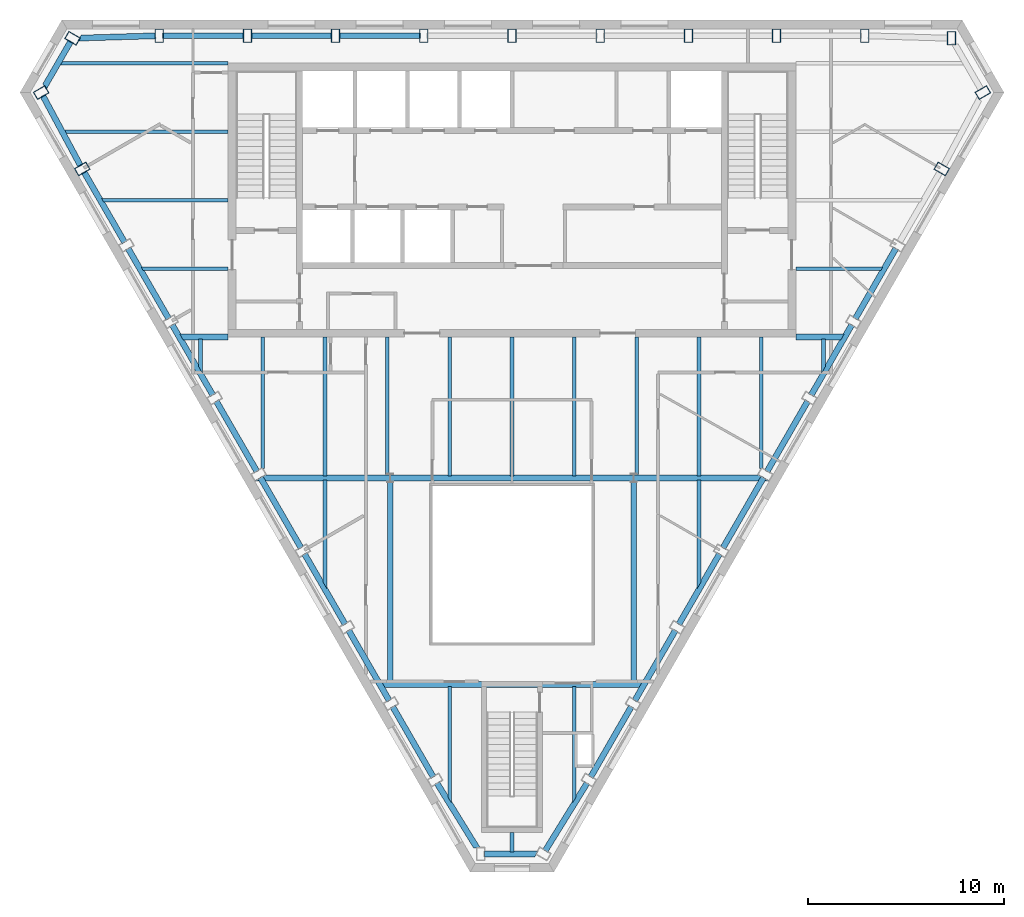
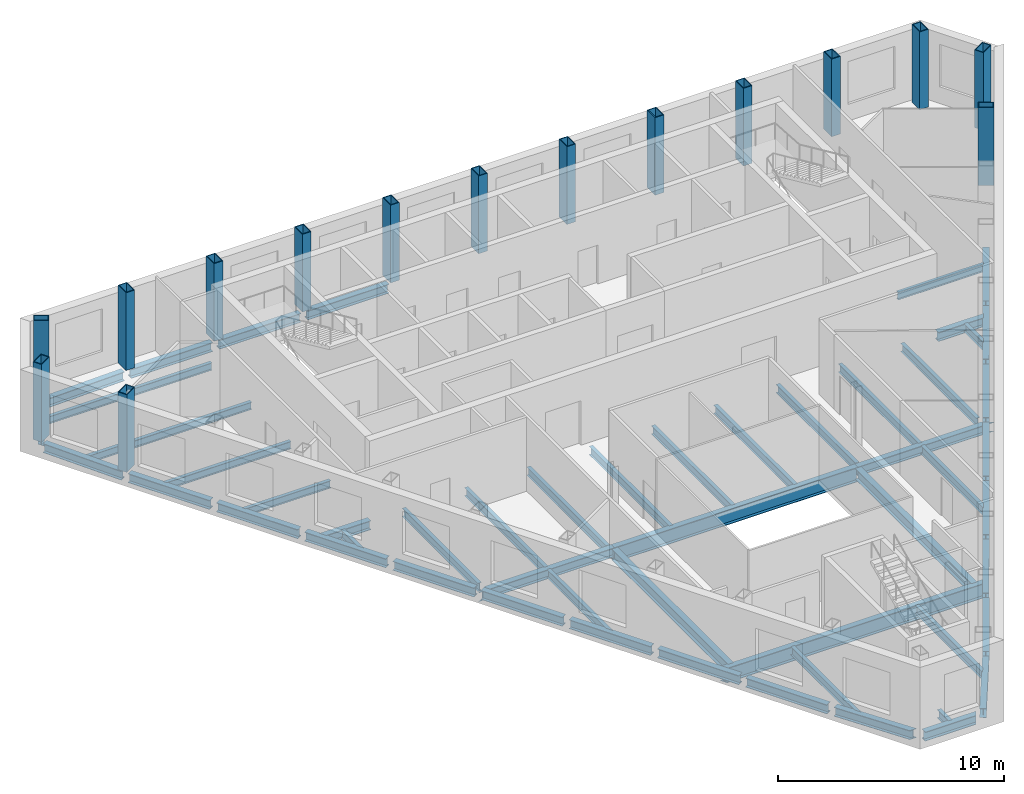
# One storey, part 2 of 9: 53 beams, 15 columns.
"""IFC4 building model written with IfcOpenShell, lengths in metres."""

from ifc_helpers import new_model, si_unit, direction, frame, origin, origin_2d, place, context, subcontext, project, spatial, hollow_rectangle, i_section, extrude, clip, halfspace, material, material_profile, profile_set, type_object, element, save


model = new_model("IFC4")

# Units and contexts
model_context = context("Model", 3, precision=1e-05, world=origin(), true_north=direction((0.0, 1.0)))
body_context = subcontext(model_context, "Body", "Model", "MODEL_VIEW")
ifc_project = project(units=[si_unit("LENGTHUNIT", "METRE"), si_unit("AREAUNIT", "SQUARE_METRE"), si_unit("VOLUMEUNIT", "CUBIC_METRE"), si_unit("PLANEANGLEUNIT", "RADIAN"), si_unit("MASSUNIT", "GRAM", prefix="KILO")], contexts=[model_context])

# Site, building, storey
site_placement = place(None, origin())
site = spatial("IfcSite", under=ifc_project, at=site_placement, CompositionType="ELEMENT")
building_placement = place(site_placement, origin())
building = spatial("IfcBuilding", under=site, at=building_placement, Name="Njiva Tower", CompositionType="ELEMENT")
storey_placement = place(building_placement, frame((0.0, 0.0, 325.2)))
storey = spatial("IfcBuildingStorey", under=building, at=storey_placement, Name="L74", CompositionType="ELEMENT", Elevation=325.2)

# Columns
ifc_material = material(Name="Steel S355 J2", Category="steel")
ifc_material_profile_1 = material_profile(ifc_material, hollow_rectangle(XDim=0.45, YDim=0.7, WallThickness=0.04, at=origin_2d()), Name="BOX 700x450x40")
ifc_profile_set_1 = profile_set([ifc_material_profile_1], Name="Steel S355 J2")
column_type = type_object("IfcColumnType", Name="C15 Perimeter tube column BOX 700x450x40", PredefinedType="COLUMN", material=ifc_profile_set_1)
for number, where, z_axis, x_axis, name in (
    (1, (22.456, 19.267, 0.0), (0.0, 0.0, 1.0), (-1.0, 0.0, 0.0), "Perimeter tube column S25-C01"),
    (2, (18.026, 19.4, 0.0), (0.0, 0.0, 1.0), (-1.0, 0.0, 0.0), "Perimeter tube column S25-C02"),
    (3, (13.52, 19.4, 0.0), (0.0, 0.0, 1.0), (-1.0, 0.0, 0.0), "Perimeter tube column S25-C03"),
    (4, (9.013, 19.4, 0.0), (0.0, 0.0, 1.0), (-1.0, 0.0, 0.0), "Perimeter tube column S25-C04"),
    (5, (4.507, 19.4, 0.0), (0.0, 0.0, 1.0), (-1.0, 0.0, 0.0), "Perimeter tube column S25-C05"),
    (6, (0.0, 19.4, 0.0), (0.0, 0.0, 1.0), (-1.0, 0.0, 0.0), "Perimeter tube column S25-C06"),
    (7, (-4.507, 19.4, 0.0), (0.0, 0.0, 1.0), (-1.0, 0.0, 0.0), "Perimeter tube column S25-C07"),
    (8, (-9.013, 19.4, 0.0), (0.0, 0.0, 1.0), (-1.0, 0.0, 0.0), "Perimeter tube column S25-C08"),
    (9, (-13.52, 19.4, 0.0), (0.0, 0.0, 1.0), (-1.0, 0.0, 0.0), "Perimeter tube column S25-C09"),
    (10, (-18.026, 19.4, 0.0), (0.0, 0.0, 1.0), (-1.0, 0.0, 0.0), "Perimeter tube column S25-C10"),
    (11, (-22.456, 19.267, 0.0), (0.0, 0.0, 1.0), (-0.5, -0.866025403784, 0.0), "Perimeter tube column S25-C11"),
    (12, (-24.058, 16.493, 0.0), (0.0, 0.0, 1.0), (0.5, -0.866025403784, 0.0), "Perimeter tube column S25-C12"),
    (13, (-21.958, 12.591, 0.0), (0.0, 0.0, 1.0), (0.5, -0.866025403784, 0.0), "Perimeter tube column S25-C13"),
    (14, (21.958, 12.591, 0.0), (0.0, 0.0, 1.0), (0.5, 0.866025403784, 0.0), "Perimeter tube column S25-C32"),
    (15, (24.058, 16.493, 0.0), (0.0, 0.0, 1.0), (-0.5, 0.866025403784, 0.0), "Perimeter tube column S25-C33"),
):
    element("IfcColumn", number, at=place(storey_placement, frame(where, z_axis=z_axis, x_axis=x_axis)), inside=storey, type_object=column_type, Name=name, PredefinedType="COLUMN", context=body_context, shape_type="SweptSolid", body=[
        extrude(hollow_rectangle(XDim=0.45, YDim=0.7, WallThickness=0.04, at=origin_2d()), origin(), (0.0, 0.0, 1.0), 4.2),
    ])

# Beams
ifc_material_profile_2 = material_profile(ifc_material, i_section(OverallWidth=0.3, OverallDepth=0.59, WebThickness=0.013, FlangeThickness=0.025, at=origin_2d()), Name="HEA 600")
ifc_profile_set_2 = profile_set([ifc_material_profile_2], Name="Steel S355 J2")
beam_type_1 = type_object("IfcBeamType", Name="B30 Long-span atrium trimmer beam HEA 600", PredefinedType="BEAM", material=ifc_profile_set_2)
for number, where, z_axis, x_axis, name in (
    (16, (6.22, -13.65, -0.495), (0.0, 1.0, 0.0), (-1.0, 0.0, 0.0), "Long-span atrium trimmer beam S25-B061"),
    (17, (-6.22, -3.375, -0.495), (0.0, -1.0, 0.0), (1.0, 0.0, 0.0), "Long-span atrium trimmer beam S25-B058"),
):
    element("IfcBeam", number, at=place(storey_placement, frame(where, z_axis=z_axis, x_axis=x_axis)), inside=storey, type_object=beam_type_1, Name=name, PredefinedType="BEAM", context=body_context, shape_type="SweptSolid", body=[
        extrude(i_section(OverallWidth=0.3, OverallDepth=0.59, WebThickness=0.013, FlangeThickness=0.025, at=origin_2d()), origin(), (0.0, 0.0, 1.0), 10.275),
    ])
ifc_material_profile_3 = material_profile(ifc_material, i_section(OverallWidth=0.3, OverallDepth=0.49, WebThickness=0.012, FlangeThickness=0.023, at=origin_2d()), Name="HEA 500")
ifc_profile_set_3 = profile_set([ifc_material_profile_3], Name="Steel S355 J2")
beam_type_2 = type_object("IfcBeamType", Name="B48 Short-span spandrel beam HEA 500", PredefinedType="SPANDREL", material=ifc_profile_set_3)
beam_1_placement = place(storey_placement, frame((-4.682, 19.4, -0.445), z_axis=(-1.0, 0.0, 0.0), x_axis=(0.0, -1.0, 0.0)))
element("IfcBeam", 18, at=beam_1_placement, inside=storey, type_object=beam_type_2, Name="Short-span spandrel beam S25-B082", PredefinedType="SPANDREL", context=body_context, shape_type="SweptSolid", body=[
    extrude(i_section(OverallWidth=0.3, OverallDepth=0.49, WebThickness=0.012, FlangeThickness=0.023, at=origin_2d()), origin(), (0.0, 0.0, 1.0), 4.156),
])
beam_2_placement = place(storey_placement, frame((-9.188, 19.4, -0.445), z_axis=(-1.0, 0.0, 0.0), x_axis=(0.0, -1.0, 0.0)))
element("IfcBeam", 19, at=beam_2_placement, inside=storey, type_object=beam_type_2, Name="Short-span spandrel beam S25-B077", PredefinedType="SPANDREL", context=body_context, shape_type="SweptSolid", body=[
    extrude(i_section(OverallWidth=0.3, OverallDepth=0.49, WebThickness=0.012, FlangeThickness=0.023, at=origin_2d()), origin(), (0.0, 0.0, 1.0), 4.157),
])
beam_3_placement = place(storey_placement, frame((-13.695, 19.4, -0.445), z_axis=(-1.0, 0.0, 0.0), x_axis=(0.0, -1.0, 0.0)))
element("IfcBeam", 20, at=beam_3_placement, inside=storey, type_object=beam_type_2, Name="Short-span spandrel beam S25-B072", PredefinedType="SPANDREL", context=body_context, shape_type="SweptSolid", body=[
    extrude(i_section(OverallWidth=0.3, OverallDepth=0.49, WebThickness=0.012, FlangeThickness=0.023, at=origin_2d()), origin(), (0.0, 0.0, 1.0), 4.156),
])
beam_4_placement = place(storey_placement, frame((-18.205, 19.395, -0.445), z_axis=(-0.999542354349, -0.030250320034, 0.0), x_axis=(0.030250320034, -0.999542354349, 0.0)))
element("IfcBeam", 21, at=beam_4_placement, inside=storey, type_object=beam_type_2, Name="Short-span spandrel beam S25-B067", PredefinedType="SPANDREL", context=body_context, shape_type="Clipping", body=[
    clip(extrude(i_section(OverallWidth=0.3, OverallDepth=0.49, WebThickness=0.012, FlangeThickness=0.023, at=origin_2d()), origin(), (0.0, 0.0, 1.0), 4.0138), halfspace(frame((-0.0268, 0.0, 3.8841), z_axis=(-0.525966768254, 0.0, 0.850505119734), x_axis=(0.0, 1.0, 0.0)), False)),
])
beam_5_placement = place(storey_placement, frame((-22.544, 19.116, -0.445), z_axis=(-0.499948361456, -0.866055215259, 0.0), x_axis=(0.866055215259, -0.499948361456, 0.0)))
element("IfcBeam", 22, at=beam_5_placement, inside=storey, type_object=beam_type_2, Name="Short-span spandrel beam S25-B066", PredefinedType="SPANDREL", context=body_context, shape_type="Clipping", body=[
    clip(extrude(i_section(OverallWidth=0.3, OverallDepth=0.49, WebThickness=0.012, FlangeThickness=0.023, at=origin_2d()), origin(), (0.0, 0.0, 1.0), 2.7893), halfspace(frame((-0.0246, 0.0, 2.6678), z_axis=(-0.500053626908, 0.0, 0.865994440061), x_axis=(0.0, 1.0, 0.0)), False)),
])
beam_6_placement = place(storey_placement, frame((-23.973, 16.336, -0.445), z_axis=(0.473719218081, -0.880675934962, 0.0), x_axis=(0.880675934962, 0.473719218081, 0.0)))
element("IfcBeam", 23, at=beam_6_placement, inside=storey, type_object=beam_type_2, Name="Short-span spandrel beam S25-B064", PredefinedType="SPANDREL", context=body_context, shape_type="SweptSolid", body=[
    extrude(i_section(OverallWidth=0.3, OverallDepth=0.49, WebThickness=0.012, FlangeThickness=0.023, at=origin_2d()), origin(), (0.0, 0.0, 1.0), 4.0741),
])
beam_7_placement = place(storey_placement, frame((-21.871, 12.439, -0.445), z_axis=(0.500201435056, -0.865909073961, 0.0), x_axis=(0.865909073961, 0.500201435056, 0.0)))
element("IfcBeam", 24, at=beam_7_placement, inside=storey, type_object=beam_type_2, Name="Short-span spandrel beam S25-B068", PredefinedType="SPANDREL", context=body_context, shape_type="SweptSolid", body=[
    extrude(i_section(OverallWidth=0.3, OverallDepth=0.49, WebThickness=0.012, FlangeThickness=0.023, at=origin_2d()), origin(), (0.0, 0.0, 1.0), 4.1563),
])
beam_8_placement = place(storey_placement, frame((-19.617, 8.537, -0.445), z_axis=(0.499812681335, -0.866133525259, 0.0), x_axis=(0.866133525259, 0.499812681335, 0.0)))
element("IfcBeam", 25, at=beam_8_placement, inside=storey, type_object=beam_type_2, Name="Short-span spandrel beam S25-B070", PredefinedType="SPANDREL", context=body_context, shape_type="SweptSolid", body=[
    extrude(i_section(OverallWidth=0.3, OverallDepth=0.49, WebThickness=0.012, FlangeThickness=0.023, at=origin_2d()), origin(), (0.0, 0.0, 1.0), 4.1576),
])
for number, where, z_axis, x_axis, name in (
    (26, (-17.364, 4.633, -0.445), (0.500201435056, -0.865909073961, 0.0), (0.865909073961, 0.500201435056, 0.0), "Short-span spandrel beam S25-B073"),
    (27, (-15.111, 0.73, -0.445), (0.500201435056, -0.865909073961, 0.0), (0.865909073961, 0.500201435056, 0.0), "Short-span spandrel beam S25-B075"),
):
    element("IfcBeam", number, at=place(storey_placement, frame(where, z_axis=z_axis, x_axis=x_axis)), inside=storey, type_object=beam_type_2, Name=name, PredefinedType="SPANDREL", context=body_context, shape_type="SweptSolid", body=[
        extrude(i_section(OverallWidth=0.3, OverallDepth=0.49, WebThickness=0.012, FlangeThickness=0.023, at=origin_2d()), origin(), (0.0, 0.0, 1.0), 4.1563),
    ])
beam_9_placement = place(storey_placement, frame((-12.857, -3.172, -0.445), z_axis=(0.499812681335, -0.866133525259, 0.0), x_axis=(0.866133525259, 0.499812681335, 0.0)))
element("IfcBeam", 28, at=beam_9_placement, inside=storey, type_object=beam_type_2, Name="Short-span spandrel beam S25-B078", PredefinedType="SPANDREL", context=body_context, shape_type="SweptSolid", body=[
    extrude(i_section(OverallWidth=0.3, OverallDepth=0.49, WebThickness=0.012, FlangeThickness=0.023, at=origin_2d()), origin(), (0.0, 0.0, 1.0), 4.1576),
])
beam_10_placement = place(storey_placement, frame((-10.604, -7.076, -0.445), z_axis=(0.500201435056, -0.865909073961, 0.0), x_axis=(0.865909073961, 0.500201435056, 0.0)))
element("IfcBeam", 29, at=beam_10_placement, inside=storey, type_object=beam_type_2, Name="Short-span spandrel beam S25-B080", PredefinedType="SPANDREL", context=body_context, shape_type="SweptSolid", body=[
    extrude(i_section(OverallWidth=0.3, OverallDepth=0.49, WebThickness=0.012, FlangeThickness=0.023, at=origin_2d()), origin(), (0.0, 0.0, 1.0), 4.1563),
])
beam_11_placement = place(storey_placement, frame((-8.35, -10.978, -0.445), z_axis=(0.500021003115, -0.866013277291, 0.0), x_axis=(0.866013277291, 0.500021003115, 0.0)))
element("IfcBeam", 30, at=beam_11_placement, inside=storey, type_object=beam_type_2, Name="Short-span spandrel beam S25-B083", PredefinedType="SPANDREL", context=body_context, shape_type="SweptSolid", body=[
    extrude(i_section(OverallWidth=0.3, OverallDepth=0.49, WebThickness=0.012, FlangeThickness=0.023, at=origin_2d()), origin(), (0.0, 0.0, 1.0), 4.1558),
])
beam_12_placement = place(storey_placement, frame((-6.097, -14.881, -0.445), z_axis=(0.499916824138, -0.866073420066, 0.0), x_axis=(0.866073420066, 0.499916824138, 0.0)))
element("IfcBeam", 31, at=beam_12_placement, inside=storey, type_object=beam_type_2, Name="Short-span spandrel beam S25-B085", PredefinedType="SPANDREL", context=body_context, shape_type="SweptSolid", body=[
    extrude(i_section(OverallWidth=0.3, OverallDepth=0.49, WebThickness=0.012, FlangeThickness=0.023, at=origin_2d()), origin(), (0.0, 0.0, 1.0), 4.1567),
])
beam_13_placement = place(storey_placement, frame((-3.837, -18.784, -0.445), z_axis=(0.525612966053, -0.850723815299, 0.0), x_axis=(0.850723815299, 0.525612966053, 0.0)))
element("IfcBeam", 32, at=beam_13_placement, inside=storey, type_object=beam_type_2, Name="Short-span spandrel beam S25-B088", PredefinedType="SPANDREL", context=body_context, shape_type="Clipping", body=[
    clip(extrude(i_section(OverallWidth=0.3, OverallDepth=0.49, WebThickness=0.012, FlangeThickness=0.023, at=origin_2d()), origin(), (0.0, 0.0, 1.0), 4.0132), halfspace(frame((-0.026, 0.0, 3.8841), z_axis=(-0.525612966053, 0.0, 0.850723815299), x_axis=(0.0, 1.0, 0.0)), False)),
])
beam_14_placement = place(storey_placement, frame((-1.426, -22.402, -0.445), z_axis=(1.0, 0.0, 0.0), x_axis=(0.0, 1.0, 0.0)))
element("IfcBeam", 33, at=beam_14_placement, inside=storey, type_object=beam_type_2, Name="Short-span spandrel beam S25-B091", PredefinedType="SPANDREL", context=body_context, shape_type="Clipping", body=[
    clip(extrude(i_section(OverallWidth=0.3, OverallDepth=0.49, WebThickness=0.012, FlangeThickness=0.023, at=origin_2d()), origin(), (0.0, 0.0, 1.0), 2.788), halfspace(frame((-0.025, 0.0, 2.6662), z_axis=(-0.499998009787, 0.0, 0.866026552831), x_axis=(0.0, 1.0, 0.0)), False)),
])
beam_15_placement = place(storey_placement, frame((1.695, -22.25, -0.445), z_axis=(0.525712321525, 0.850662421291, 0.0), x_axis=(-0.850662421291, 0.525712321525, 0.0)))
element("IfcBeam", 34, at=beam_15_placement, inside=storey, type_object=beam_type_2, Name="Short-span spandrel beam S25-B094", PredefinedType="SPANDREL", context=body_context, shape_type="SweptSolid", body=[
    extrude(i_section(OverallWidth=0.3, OverallDepth=0.49, WebThickness=0.012, FlangeThickness=0.023, at=origin_2d()), origin(), (0.0, 0.0, 1.0), 4.0745),
])
beam_16_placement = place(storey_placement, frame((4.019, -18.481, -0.445), z_axis=(0.499916824138, 0.866073420066, 0.0), x_axis=(-0.866073420066, 0.499916824138, 0.0)))
element("IfcBeam", 35, at=beam_16_placement, inside=storey, type_object=beam_type_2, Name="Short-span spandrel beam S25-B096", PredefinedType="SPANDREL", context=body_context, shape_type="SweptSolid", body=[
    extrude(i_section(OverallWidth=0.3, OverallDepth=0.49, WebThickness=0.012, FlangeThickness=0.023, at=origin_2d()), origin(), (0.0, 0.0, 1.0), 4.1567),
])
beam_17_placement = place(storey_placement, frame((6.272, -14.577, -0.445), z_axis=(0.500021003115, 0.866013277291, 0.0), x_axis=(-0.866013277291, 0.500021003115, 0.0)))
element("IfcBeam", 36, at=beam_17_placement, inside=storey, type_object=beam_type_2, Name="Short-span spandrel beam S25-B099", PredefinedType="SPANDREL", context=body_context, shape_type="SweptSolid", body=[
    extrude(i_section(OverallWidth=0.3, OverallDepth=0.49, WebThickness=0.012, FlangeThickness=0.023, at=origin_2d()), origin(), (0.0, 0.0, 1.0), 4.1558),
])
beam_18_placement = place(storey_placement, frame((8.525, -10.675, -0.445), z_axis=(0.500201435056, 0.865909073961, 0.0), x_axis=(-0.865909073961, 0.500201435056, 0.0)))
element("IfcBeam", 37, at=beam_18_placement, inside=storey, type_object=beam_type_2, Name="Short-span spandrel beam S25-B101", PredefinedType="SPANDREL", context=body_context, shape_type="SweptSolid", body=[
    extrude(i_section(OverallWidth=0.3, OverallDepth=0.49, WebThickness=0.012, FlangeThickness=0.023, at=origin_2d()), origin(), (0.0, 0.0, 1.0), 4.1563),
])
beam_19_placement = place(storey_placement, frame((10.779, -6.773, -0.445), z_axis=(0.499812681335, 0.866133525259, 0.0), x_axis=(-0.866133525259, 0.499812681335, 0.0)))
element("IfcBeam", 38, at=beam_19_placement, inside=storey, type_object=beam_type_2, Name="Short-span spandrel beam S25-B104", PredefinedType="SPANDREL", context=body_context, shape_type="SweptSolid", body=[
    extrude(i_section(OverallWidth=0.3, OverallDepth=0.49, WebThickness=0.012, FlangeThickness=0.023, at=origin_2d()), origin(), (0.0, 0.0, 1.0), 4.1576),
])
for number, where, z_axis, x_axis, name in (
    (39, (13.032, -2.869, -0.445), (0.500201435056, 0.865909073961, 0.0), (-0.865909073961, 0.500201435056, 0.0), "Short-span spandrel beam S25-B106"),
    (40, (15.285, 1.034, -0.445), (0.500201435056, 0.865909073961, 0.0), (-0.865909073961, 0.500201435056, 0.0), "Short-span spandrel beam S25-B109"),
):
    element("IfcBeam", number, at=place(storey_placement, frame(where, z_axis=z_axis, x_axis=x_axis)), inside=storey, type_object=beam_type_2, Name=name, PredefinedType="SPANDREL", context=body_context, shape_type="SweptSolid", body=[
        extrude(i_section(OverallWidth=0.3, OverallDepth=0.49, WebThickness=0.012, FlangeThickness=0.023, at=origin_2d()), origin(), (0.0, 0.0, 1.0), 4.1563),
    ])
beam_20_placement = place(storey_placement, frame((17.539, 4.936, -0.445), z_axis=(0.499812681335, 0.866133525259, 0.0), x_axis=(-0.866133525259, 0.499812681335, 0.0)))
element("IfcBeam", 41, at=beam_20_placement, inside=storey, type_object=beam_type_2, Name="Short-span spandrel beam S25-B111", PredefinedType="SPANDREL", context=body_context, shape_type="SweptSolid", body=[
    extrude(i_section(OverallWidth=0.3, OverallDepth=0.49, WebThickness=0.012, FlangeThickness=0.023, at=origin_2d()), origin(), (0.0, 0.0, 1.0), 4.1576),
])
ifc_material_profile_4 = material_profile(ifc_material, i_section(OverallWidth=0.3, OverallDepth=0.49, WebThickness=0.012, FlangeThickness=0.023, at=origin_2d()), Name="HEA 500")
ifc_profile_set_4 = profile_set([ifc_material_profile_4], Name="Steel S355 J2")
beam_type_3 = type_object("IfcBeamType", Name="B49 Floor girder HEA 500", PredefinedType="BEAM", material=ifc_profile_set_4)
beam_21_placement = place(storey_placement, frame((-13.185, -3.2, -0.445), z_axis=(1.0, 0.0, 0.0), x_axis=(0.0, 1.0, 0.0)))
element("IfcBeam", 42, at=beam_21_placement, inside=storey, type_object=beam_type_3, Name="Floor girder S25-B010", PredefinedType="BEAM", context=body_context, shape_type="Clipping", body=[
    clip(extrude(i_section(OverallWidth=0.3, OverallDepth=0.49, WebThickness=0.012, FlangeThickness=0.023, at=origin_2d()), origin(), (0.0, 0.0, 1.0), 6.965), halfspace(frame((0.0433, 0.0, 0.355), z_axis=(0.866026552831, 0.0, -0.499998009787), x_axis=(0.0, -1.0, 0.0)), False)),
])
beam_22_placement = place(storey_placement, frame((6.22, -3.2, -0.445), z_axis=(1.0, 0.0, 0.0), x_axis=(0.0, 1.0, 0.0)))
element("IfcBeam", 43, at=beam_22_placement, inside=storey, type_object=beam_type_3, Name="Floor girder S25-B013", PredefinedType="BEAM", context=body_context, shape_type="Clipping", body=[
    clip(extrude(i_section(OverallWidth=0.3, OverallDepth=0.49, WebThickness=0.012, FlangeThickness=0.023, at=origin_2d()), origin(), (0.0, 0.0, 1.0), 6.965), halfspace(frame((0.0433, 0.0, 6.61), z_axis=(0.866026552831, 0.0, 0.499998009787), x_axis=(0.0, 1.0, 0.0)), False)),
])
ifc_material_profile_5 = material_profile(ifc_material, i_section(OverallWidth=0.3, OverallDepth=0.49, WebThickness=0.012, FlangeThickness=0.023, at=origin_2d()), Name="HEA 500")
ifc_profile_set_5 = profile_set([ifc_material_profile_5], Name="Steel S355 J2")
beam_type_4 = type_object("IfcBeamType", Name="B50 Short-span floor girder HEA 500", PredefinedType="BEAM", material=ifc_profile_set_5)
beam_23_placement = place(storey_placement, frame((-16.99, 4.0, -0.445), z_axis=(1.0, 0.0, 0.0), x_axis=(0.0, 1.0, 0.0)))
element("IfcBeam", 44, at=beam_23_placement, inside=storey, type_object=beam_type_4, Name="Short-span floor girder S25-B009", PredefinedType="BEAM", context=body_context, shape_type="Clipping", body=[
    clip(extrude(i_section(OverallWidth=0.3, OverallDepth=0.49, WebThickness=0.012, FlangeThickness=0.023, at=origin_2d()), origin(), (0.0, 0.0, 1.0), 2.49), halfspace(frame((-0.025, 0.0, 0.1217), z_axis=(-0.499998009787, 0.0, -0.866026552831), x_axis=(0.0, -1.0, 0.0)), False)),
])
beam_24_placement = place(storey_placement, frame((14.5, 4.0, -0.445), z_axis=(1.0, 0.0, 0.0), x_axis=(0.0, 1.0, 0.0)))
element("IfcBeam", 45, at=beam_24_placement, inside=storey, type_object=beam_type_4, Name="Short-span floor girder S25-B014", PredefinedType="BEAM", context=body_context, shape_type="Clipping", body=[
    clip(extrude(i_section(OverallWidth=0.3, OverallDepth=0.49, WebThickness=0.012, FlangeThickness=0.023, at=origin_2d()), origin(), (0.0, 0.0, 1.0), 2.49), halfspace(frame((-0.025, 0.0, 2.3683), z_axis=(-0.499998009787, 0.0, 0.866026552831), x_axis=(0.0, 1.0, 0.0)), False)),
])
ifc_material_profile_6 = material_profile(ifc_material, i_section(OverallWidth=0.18, OverallDepth=0.4, WebThickness=0.0086, FlangeThickness=0.0135, at=origin_2d()), Name="IPE 400")
ifc_profile_set_6 = profile_set([ifc_material_profile_6], Name="Steel S355 J2")
beam_type_5 = type_object("IfcBeamType", Name="B51 Floor beam to the core IPE 400", PredefinedType="BEAM", material=ifc_profile_set_6)
beam_25_placement = place(storey_placement, frame((-20.996, 11.0, -0.4), z_axis=(1.0, 0.0, 0.0), x_axis=(0.0, 1.0, 0.0)))
element("IfcBeam", 46, at=beam_25_placement, inside=storey, type_object=beam_type_5, Name="Floor beam to the core S25-B003", PredefinedType="BEAM", context=body_context, shape_type="Clipping", body=[
    clip(extrude(i_section(OverallWidth=0.18, OverallDepth=0.4, WebThickness=0.0086, FlangeThickness=0.0135, at=origin_2d()), origin(), (0.0, 0.0, 1.0), 6.496), halfspace(frame((-0.025, 0.0, 0.0863), z_axis=(-0.499998009787, 0.0, -0.866026552831), x_axis=(0.0, -1.0, 0.0)), False)),
])
beam_26_placement = place(storey_placement, frame((-22.94, 14.5, -0.4), z_axis=(1.0, 0.0, 0.0), x_axis=(0.0, 1.0, 0.0)))
element("IfcBeam", 47, at=beam_26_placement, inside=storey, type_object=beam_type_5, Name="Floor beam to the core S25-B002", PredefinedType="BEAM", context=body_context, shape_type="Clipping", body=[
    clip(extrude(i_section(OverallWidth=0.18, OverallDepth=0.4, WebThickness=0.0086, FlangeThickness=0.0135, at=origin_2d()), origin(), (0.0, 0.0, 1.0), 8.44), halfspace(frame((-0.0237, 0.0, 0.0811), z_axis=(-0.47376166762, 0.0, -0.88065309986), x_axis=(0.0, -1.0, 0.0)), False)),
])
beam_27_placement = place(storey_placement, frame((-23.144, 18.0, -0.4), z_axis=(1.0, 0.0, 0.0), x_axis=(0.0, 1.0, 0.0)))
element("IfcBeam", 48, at=beam_27_placement, inside=storey, type_object=beam_type_5, Name="Floor beam to the core S25-B001", PredefinedType="BEAM", context=body_context, shape_type="Clipping", body=[
    clip(extrude(i_section(OverallWidth=0.18, OverallDepth=0.4, WebThickness=0.0086, FlangeThickness=0.0135, at=origin_2d()), origin(), (0.0, 0.0, 1.0), 8.644), halfspace(frame((0.025, 0.0, 0.0862), z_axis=(0.499998009787, 0.0, -0.866026552831), x_axis=(0.0, -1.0, 0.0)), False)),
])
ifc_material_profile_7 = material_profile(ifc_material, i_section(OverallWidth=0.19, OverallDepth=0.45, WebThickness=0.0094, FlangeThickness=0.0146, at=origin_2d()), Name="IPE 450")
ifc_profile_set_7 = profile_set([ifc_material_profile_7], Name="Steel S355 J2")
beam_type_6 = type_object("IfcBeamType", Name="B52 Short-span floor joist IPE 450", PredefinedType="JOIST", material=ifc_profile_set_7)
beam_28_placement = place(storey_placement, frame((-15.917, 3.9, -0.425), z_axis=(0.0, -1.0, 0.0), x_axis=(1.0, 0.0, 0.0)))
element("IfcBeam", 49, at=beam_28_placement, inside=storey, type_object=beam_type_6, Name="Short-span floor joist S25-B039", PredefinedType="JOIST", context=body_context, shape_type="Clipping", body=[
    clip(extrude(i_section(OverallWidth=0.19, OverallDepth=0.45, WebThickness=0.0094, FlangeThickness=0.0146, at=origin_2d()), origin(), (0.0, 0.0, 1.0), 1.758), halfspace(frame((-0.043, 0.0, 1.4982), z_axis=(-0.866026552831, 0.0, 0.499998009787), x_axis=(0.0, 1.0, 0.0)), False)),
])
beam_29_placement = place(storey_placement, frame((0.0, -21.3, -0.425), z_axis=(0.0, -1.0, 0.0), x_axis=(1.0, 0.0, 0.0)))
element("IfcBeam", 50, at=beam_29_placement, inside=storey, type_object=beam_type_6, Name="Short-span floor joist S25-B047", PredefinedType="JOIST", context=body_context, shape_type="SweptSolid", body=[
    extrude(i_section(OverallWidth=0.19, OverallDepth=0.45, WebThickness=0.0094, FlangeThickness=0.0146, at=origin_2d()), origin(), (0.0, 0.0, 1.0), 1.002),
])
beam_30_placement = place(storey_placement, frame((15.917, 3.9, -0.425), z_axis=(0.0, -1.0, 0.0), x_axis=(1.0, 0.0, 0.0)))
element("IfcBeam", 51, at=beam_30_placement, inside=storey, type_object=beam_type_6, Name="Short-span floor joist S25-B056", PredefinedType="JOIST", context=body_context, shape_type="Clipping", body=[
    clip(extrude(i_section(OverallWidth=0.19, OverallDepth=0.45, WebThickness=0.0094, FlangeThickness=0.0146, at=origin_2d()), origin(), (0.0, 0.0, 1.0), 1.758), halfspace(frame((0.043, 0.0, 1.4982), z_axis=(0.866026552831, 0.0, 0.499998009787), x_axis=(0.0, 1.0, 0.0)), False)),
])
ifc_material_profile_8 = material_profile(ifc_material, i_section(OverallWidth=0.19, OverallDepth=0.45, WebThickness=0.0094, FlangeThickness=0.0146, at=origin_2d()), Name="IPE 450")
ifc_profile_set_8 = profile_set([ifc_material_profile_8], Name="Steel S355 J2")
beam_type_7 = type_object("IfcBeamType", Name="B53 Floor joist IPE 450", PredefinedType="JOIST", material=ifc_profile_set_8)
beam_31_placement = place(storey_placement, frame((-12.733, 3.995, -0.425), z_axis=(0.0, -1.0, 0.0), x_axis=(1.0, 0.0, 0.0)))
element("IfcBeam", 52, at=beam_31_placement, inside=storey, type_object=beam_type_7, Name="Floor joist S25-B041", PredefinedType="JOIST", context=body_context, shape_type="SweptSolid", body=[
    extrude(i_section(OverallWidth=0.19, OverallDepth=0.45, WebThickness=0.0094, FlangeThickness=0.0146, at=origin_2d()), origin(), (0.0, 0.0, 1.0), 6.699),
])
beam_32_placement = place(storey_placement, frame((-9.55, 3.995, -0.425), z_axis=(0.0, -1.0, 0.0), x_axis=(1.0, 0.0, 0.0)))
element("IfcBeam", 53, at=beam_32_placement, inside=storey, type_object=beam_type_7, Name="Floor joist S25-B043", PredefinedType="JOIST", context=body_context, shape_type="SweptSolid", body=[
    extrude(i_section(OverallWidth=0.19, OverallDepth=0.45, WebThickness=0.0094, FlangeThickness=0.0146, at=origin_2d()), origin(), (0.0, 0.0, 1.0), 7.095),
])
beam_33_placement = place(storey_placement, frame((-9.55, -3.3, -0.425), z_axis=(0.0, -1.0, 0.0), x_axis=(1.0, 0.0, 0.0)))
element("IfcBeam", 54, at=beam_33_placement, inside=storey, type_object=beam_type_7, Name="Floor joist S25-B042", PredefinedType="JOIST", context=body_context, shape_type="Clipping", body=[
    clip(extrude(i_section(OverallWidth=0.19, OverallDepth=0.45, WebThickness=0.0094, FlangeThickness=0.0146, at=origin_2d()), origin(), (0.0, 0.0, 1.0), 5.586), halfspace(frame((-0.0433, 0.0, 5.3256), z_axis=(-0.866026552831, 0.0, 0.499998009787), x_axis=(0.0, 1.0, 0.0)), False)),
])
beam_34_placement = place(storey_placement, frame((-6.367, 3.995, -0.425), z_axis=(0.0, -1.0, 0.0), x_axis=(1.0, 0.0, 0.0)))
element("IfcBeam", 55, at=beam_34_placement, inside=storey, type_object=beam_type_7, Name="Floor joist S25-B044", PredefinedType="JOIST", context=body_context, shape_type="SweptSolid", body=[
    extrude(i_section(OverallWidth=0.19, OverallDepth=0.45, WebThickness=0.0094, FlangeThickness=0.0146, at=origin_2d()), origin(), (0.0, 0.0, 1.0), 7.02),
])
beam_35_placement = place(storey_placement, frame((-3.183, 3.995, -0.425), z_axis=(0.0, -1.0, 0.0), x_axis=(1.0, 0.0, 0.0)))
element("IfcBeam", 56, at=beam_35_placement, inside=storey, type_object=beam_type_7, Name="Floor joist S25-B046", PredefinedType="JOIST", context=body_context, shape_type="SweptSolid", body=[
    extrude(i_section(OverallWidth=0.19, OverallDepth=0.45, WebThickness=0.0094, FlangeThickness=0.0146, at=origin_2d()), origin(), (0.0, 0.0, 1.0), 7.095),
])
beam_36_placement = place(storey_placement, frame((-3.183, -13.85, -0.425), z_axis=(0.0, -1.0, 0.0), x_axis=(1.0, 0.0, 0.0)))
element("IfcBeam", 57, at=beam_36_placement, inside=storey, type_object=beam_type_7, Name="Floor joist S25-B045", PredefinedType="JOIST", context=body_context, shape_type="Clipping", body=[
    clip(extrude(i_section(OverallWidth=0.19, OverallDepth=0.45, WebThickness=0.0094, FlangeThickness=0.0146, at=origin_2d()), origin(), (0.0, 0.0, 1.0), 5.976), halfspace(frame((-0.0429, 0.0, 5.7335), z_axis=(-0.850615955969, 0.0, 0.525787500281), x_axis=(0.0, 1.0, 0.0)), False)),
])
for number, where, z_axis, x_axis, name in (
    (58, (0.0, 3.995, -0.425), (0.0, -1.0, 0.0), (1.0, 0.0, 0.0), "Floor joist S25-B048"),
    (59, (3.183, 3.995, -0.425), (0.0, -1.0, 0.0), (1.0, 0.0, 0.0), "Floor joist S25-B050"),
):
    element("IfcBeam", number, at=place(storey_placement, frame(where, z_axis=z_axis, x_axis=x_axis)), inside=storey, type_object=beam_type_7, Name=name, PredefinedType="JOIST", context=body_context, shape_type="SweptSolid", body=[
        extrude(i_section(OverallWidth=0.19, OverallDepth=0.45, WebThickness=0.0094, FlangeThickness=0.0146, at=origin_2d()), origin(), (0.0, 0.0, 1.0), 7.095),
    ])
beam_37_placement = place(storey_placement, frame((3.183, -13.85, -0.425), z_axis=(0.0, -1.0, 0.0), x_axis=(1.0, 0.0, 0.0)))
element("IfcBeam", 60, at=beam_37_placement, inside=storey, type_object=beam_type_7, Name="Floor joist S25-B049", PredefinedType="JOIST", context=body_context, shape_type="Clipping", body=[
    clip(extrude(i_section(OverallWidth=0.19, OverallDepth=0.45, WebThickness=0.0094, FlangeThickness=0.0146, at=origin_2d()), origin(), (0.0, 0.0, 1.0), 5.976), halfspace(frame((0.0429, 0.0, 5.7335), z_axis=(0.850615955969, 0.0, 0.525787500281), x_axis=(0.0, 1.0, 0.0)), False)),
])
beam_38_placement = place(storey_placement, frame((6.367, 3.995, -0.425), z_axis=(0.0, -1.0, 0.0), x_axis=(1.0, 0.0, 0.0)))
element("IfcBeam", 61, at=beam_38_placement, inside=storey, type_object=beam_type_7, Name="Floor joist S25-B051", PredefinedType="JOIST", context=body_context, shape_type="SweptSolid", body=[
    extrude(i_section(OverallWidth=0.19, OverallDepth=0.45, WebThickness=0.0094, FlangeThickness=0.0146, at=origin_2d()), origin(), (0.0, 0.0, 1.0), 7.02),
])
beam_39_placement = place(storey_placement, frame((9.55, 3.995, -0.425), z_axis=(0.0, -1.0, 0.0), x_axis=(1.0, 0.0, 0.0)))
element("IfcBeam", 62, at=beam_39_placement, inside=storey, type_object=beam_type_7, Name="Floor joist S25-B053", PredefinedType="JOIST", context=body_context, shape_type="SweptSolid", body=[
    extrude(i_section(OverallWidth=0.19, OverallDepth=0.45, WebThickness=0.0094, FlangeThickness=0.0146, at=origin_2d()), origin(), (0.0, 0.0, 1.0), 7.095),
])
beam_40_placement = place(storey_placement, frame((9.55, -3.3, -0.425), z_axis=(0.0, -1.0, 0.0), x_axis=(1.0, 0.0, 0.0)))
element("IfcBeam", 63, at=beam_40_placement, inside=storey, type_object=beam_type_7, Name="Floor joist S25-B052", PredefinedType="JOIST", context=body_context, shape_type="Clipping", body=[
    clip(extrude(i_section(OverallWidth=0.19, OverallDepth=0.45, WebThickness=0.0094, FlangeThickness=0.0146, at=origin_2d()), origin(), (0.0, 0.0, 1.0), 5.586), halfspace(frame((0.0433, 0.0, 5.3256), z_axis=(0.866026552831, 0.0, 0.499998009787), x_axis=(0.0, 1.0, 0.0)), False)),
])
beam_41_placement = place(storey_placement, frame((12.733, 3.995, -0.425), z_axis=(0.0, -1.0, 0.0), x_axis=(1.0, 0.0, 0.0)))
element("IfcBeam", 64, at=beam_41_placement, inside=storey, type_object=beam_type_7, Name="Floor joist S25-B055", PredefinedType="JOIST", context=body_context, shape_type="SweptSolid", body=[
    extrude(i_section(OverallWidth=0.19, OverallDepth=0.45, WebThickness=0.0094, FlangeThickness=0.0146, at=origin_2d()), origin(), (0.0, 0.0, 1.0), 6.699),
])
ifc_material_profile_9 = material_profile(ifc_material, i_section(OverallWidth=0.18, OverallDepth=0.4, WebThickness=0.0086, FlangeThickness=0.0135, at=origin_2d()), Name="IPE 400")
ifc_profile_set_9 = profile_set([ifc_material_profile_9], Name="Steel S355 J2")
beam_type_8 = type_object("IfcBeamType", Name="B56 Short-span floor beam to the core IPE 400", PredefinedType="BEAM", material=ifc_profile_set_9)
beam_42_placement = place(storey_placement, frame((-18.975, 7.5, -0.4), z_axis=(1.0, 0.0, 0.0), x_axis=(0.0, 1.0, 0.0)))
element("IfcBeam", 65, at=beam_42_placement, inside=storey, type_object=beam_type_8, Name="Short-span floor beam to the core S25-B004", PredefinedType="BEAM", context=body_context, shape_type="Clipping", body=[
    clip(extrude(i_section(OverallWidth=0.18, OverallDepth=0.4, WebThickness=0.0086, FlangeThickness=0.0135, at=origin_2d()), origin(), (0.0, 0.0, 1.0), 4.475), halfspace(frame((-0.025, 0.0, 0.086), z_axis=(-0.499998009787, 0.0, -0.866026552831), x_axis=(0.0, -1.0, 0.0)), False)),
])
beam_43_placement = place(storey_placement, frame((14.5, 7.5, -0.4), z_axis=(1.0, 0.0, 0.0), x_axis=(0.0, 1.0, 0.0)))
element("IfcBeam", 66, at=beam_43_placement, inside=storey, type_object=beam_type_8, Name="Short-span floor beam to the core S25-B005", PredefinedType="BEAM", context=body_context, shape_type="Clipping", body=[
    clip(extrude(i_section(OverallWidth=0.18, OverallDepth=0.4, WebThickness=0.0086, FlangeThickness=0.0135, at=origin_2d()), origin(), (0.0, 0.0, 1.0), 4.475), halfspace(frame((-0.025, 0.0, 4.389), z_axis=(-0.499998009787, 0.0, 0.866026552831), x_axis=(0.0, 1.0, 0.0)), False)),
])
ifc_material_profile_10 = material_profile(ifc_material, i_section(OverallWidth=0.3, OverallDepth=0.79, WebThickness=0.015, FlangeThickness=0.028, at=origin_2d()), Name="HEA 800")
ifc_profile_set_10 = profile_set([ifc_material_profile_10], Name="Steel S355 J2")
beam_type_9 = type_object("IfcBeamType", Name="B9 Long-span atrium trimmer beam HEA 800", PredefinedType="BEAM", material=ifc_profile_set_10)
beam_44_placement = place(storey_placement, frame((-6.742, -13.75, -0.595), z_axis=(1.0, 0.0, 0.0), x_axis=(0.0, 1.0, 0.0)))
element("IfcBeam", 67, at=beam_44_placement, inside=storey, type_object=beam_type_9, Name="Long-span atrium trimmer beam S25-B057", PredefinedType="BEAM", context=body_context, shape_type="Clipping", body=[
    clip(clip(extrude(i_section(OverallWidth=0.3, OverallDepth=0.79, WebThickness=0.015, FlangeThickness=0.028, at=origin_2d()), origin(), (0.0, 0.0, 1.0), 13.484), halfspace(frame((-0.025, 0.0, 0.1217), z_axis=(-0.499998009787, 0.0, -0.866026552831), x_axis=(0.0, -1.0, 0.0)), False)), halfspace(frame((-0.025, 0.0, 13.3623), z_axis=(-0.499998009787, 0.0, 0.866026552831), x_axis=(0.0, 1.0, 0.0)), False)),
])
beam_45_placement = place(storey_placement, frame((6.22, -3.2, -0.595), z_axis=(-1.0, 0.0, 0.0), x_axis=(0.0, -1.0, 0.0)))
element("IfcBeam", 68, at=beam_45_placement, inside=storey, type_object=beam_type_9, Name="Long-span atrium trimmer beam S25-B060", PredefinedType="BEAM", context=body_context, shape_type="SweptSolid", body=[
    extrude(i_section(OverallWidth=0.3, OverallDepth=0.79, WebThickness=0.015, FlangeThickness=0.028, at=origin_2d()), origin(), (0.0, 0.0, 1.0), 12.44),
])

save(model, "model.ifc")
